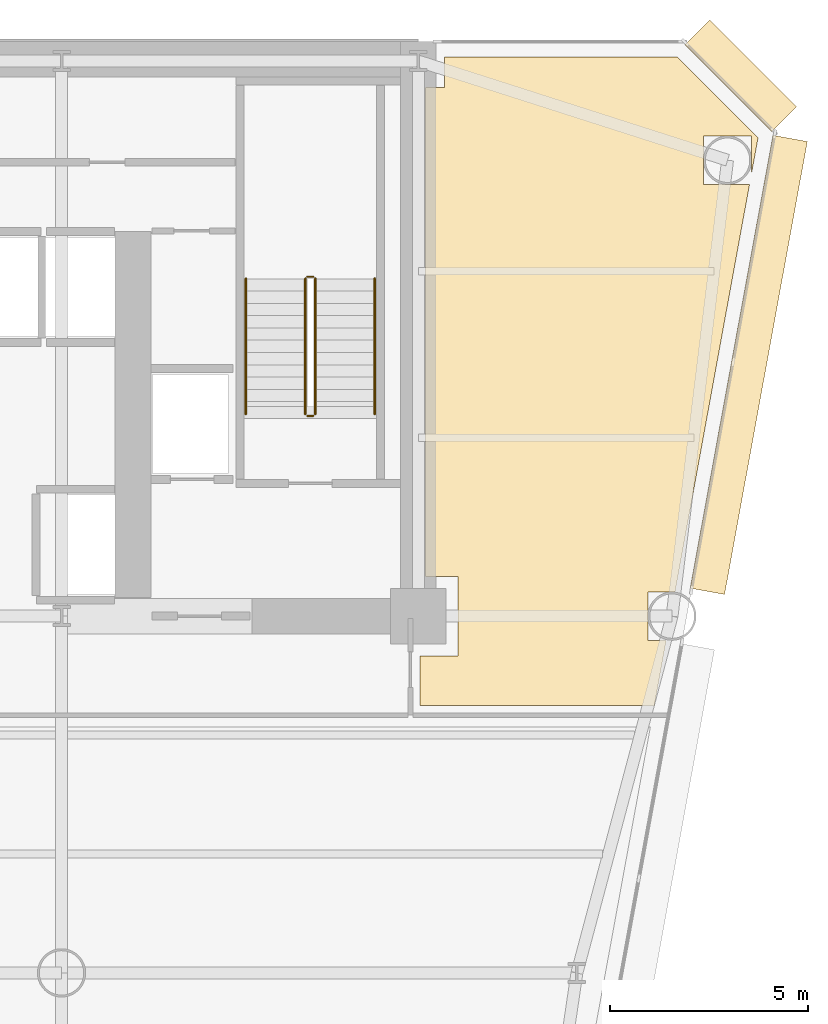
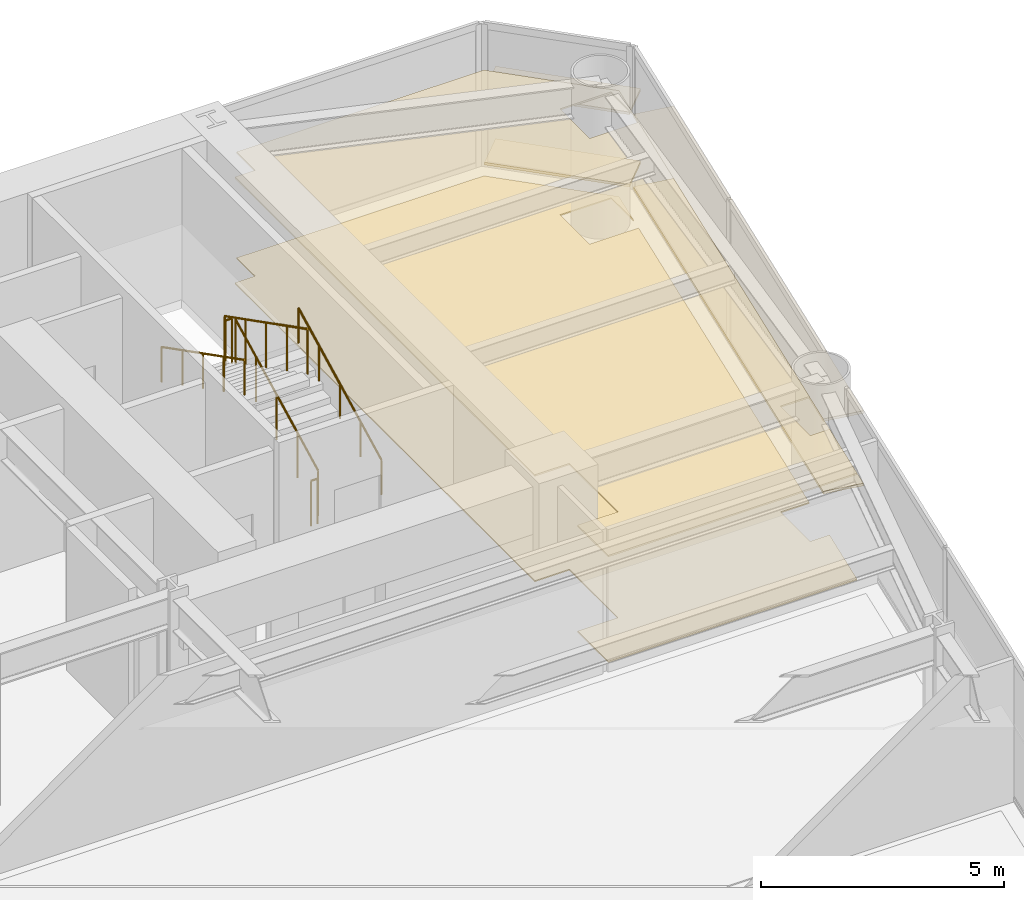
# One storey, part 14 of 14: 6 coverings, 6 railings.
"""IFC4 building model written with IfcOpenShell, lengths in metres."""

import ifcopenshell
import ifcopenshell.guid

model = None  # the IFC model being written
_history = None  # IfcOwnerHistory: only IFC2X3 demands one
_inside = {}  # id of a spatial element -> (the spatial element, [elements in it])
_under = {}  # id of a project, library or spatial element -> (it, [spatial elements below it])
_declared = {}  # id of a project -> (the project, [libraries it declares])
_typed = {}  # id of a type object -> (the type object, [elements of that type])
_made_of = {}  # id of a material, layer set ... -> (it, [elements and type objects made of it])


def new_model(schema):
    """Start an empty IFC model of exactly this schema.

    Asked for "IFC4X3", IfcOpenShell would pick the latest addendum, in which some entities
    have other attributes; the version numbers below select the first issue.
    IFC2X3 requires an IfcOwnerHistory on every rooted entity: one is made here for all.
    """
    global model, _history
    if schema == "IFC4X3":
        model = ifcopenshell.file(schema_version=(4, 3, 0, 0))
    else:
        model = ifcopenshell.file(schema=schema)
    _inside.clear()
    _under.clear()
    _declared.clear()
    _typed.clear()
    _made_of.clear()
    _history = None
    if model.schema == "IFC2X3":
        org = make("IfcOrganization", Name="unknown")
        user = make(
            "IfcPersonAndOrganization",
            ThePerson=make("IfcPerson", FamilyName="unknown"),
            TheOrganization=org,
        )
        app = make(
            "IfcApplication",
            ApplicationDeveloper=org,
            Version="unknown",
            ApplicationFullName="unknown",
            ApplicationIdentifier="unknown",
        )
        _history = make(
            "IfcOwnerHistory",
            OwningUser=user,
            OwningApplication=app,
            ChangeAction="ADDED",
            CreationDate=0,
        )
    return model


def make(cls, **values):
    """One entity of the class cls with the attributes given. An attribute that is None is left unset."""
    return model.create_entity(
        cls, **{name: value for name, value in values.items() if value is not None}
    )


def rooted(cls, **values):
    """An entity with a GlobalId (a new one), such as an element, a storey or a relation."""
    return make(cls, GlobalId=ifcopenshell.guid.new(), OwnerHistory=_history, **values)


def si_unit(unit_type, name, prefix=None):
    """IfcSIUnit, for example si_unit("LENGTHUNIT", "METRE", prefix="MILLI")."""
    return make("IfcSIUnit", UnitType=unit_type, Prefix=prefix, Name=name)


def assignment(units):
    """IfcUnitAssignment: the units of a project."""
    return None if units is None else make("IfcUnitAssignment", Units=units)


def point(xyz):
    """IfcCartesianPoint."""
    return None if xyz is None else make("IfcCartesianPoint", Coordinates=xyz)


def direction(xyz):
    """IfcDirection."""
    return None if xyz is None else make("IfcDirection", DirectionRatios=xyz)


def frame(location, z_axis=None, x_axis=None):
    """IfcAxis2Placement3D, a coordinate frame: its origin and axes. An axis left out is left unset."""
    return make(
        "IfcAxis2Placement3D",
        Location=point(location),
        Axis=direction(z_axis),
        RefDirection=direction(x_axis),
    )


def frame_2d(location, x_axis=None):
    """IfcAxis2Placement2D, a coordinate frame in the plane: its origin and x axis."""
    return make(
        "IfcAxis2Placement2D", Location=point(location), RefDirection=direction(x_axis)
    )


def origin():
    """The frame at (0, 0, 0) with its axes left unset."""
    return frame((0.0, 0.0, 0.0))


def origin_2d():
    """The frame at (0, 0) in the plane with its x axis left unset."""
    return frame_2d((0.0, 0.0))


def place(relative_to, where):
    """IfcLocalPlacement: puts the frame where relative to a parent placement (None: the world)."""
    return make(
        "IfcLocalPlacement", PlacementRelTo=relative_to, RelativePlacement=where
    )


def context(
    kind, dimensions, precision=None, world=None, true_north=None, identifier=None
):
    """IfcGeometricRepresentationContext, for example the 3D "Model" context."""
    return make(
        "IfcGeometricRepresentationContext",
        ContextIdentifier=identifier,
        ContextType=kind,
        CoordinateSpaceDimension=dimensions,
        Precision=precision,
        WorldCoordinateSystem=world,
        TrueNorth=true_north,
    )


def subcontext(parent, identifier, kind, view, scale=None):
    """IfcGeometricRepresentationSubContext, for example "Body" below "Model"."""
    return make(
        "IfcGeometricRepresentationSubContext",
        ContextIdentifier=identifier,
        ContextType=kind,
        ParentContext=parent,
        TargetScale=scale,
        TargetView=view,
    )


def project(units=None, contexts=None):
    """IfcProject with its units and contexts."""
    return rooted(
        "IfcProject",
        Name="project",
        RepresentationContexts=contexts,
        UnitsInContext=assignment(units),
    )


def spatial(cls, under=None, at=None, **own):
    """A site, building, storey or space (cls), placed at a placement, below another one or the project."""
    s = rooted(cls, ObjectPlacement=at, **own)
    if under is not None:
        _under.setdefault(under.id(), (under, []))[1].append(s)
    return s


def polyline(points):
    """IfcPolyline through the points."""
    return make("IfcPolyline", Points=[point(p) for p in points])


def profile(cls, at=None, kind="AREA", **sizes):
    """A parametric profile (cls). Its sizes go by their IFC names, for example OverallWidth=200.0."""
    return make(cls, ProfileType=kind, Position=at, **sizes)


def rectangle(**sizes):
    """IfcRectangleProfileDef."""
    return profile("IfcRectangleProfileDef", **sizes)


def circle(**sizes):
    """IfcCircleProfileDef."""
    return profile("IfcCircleProfileDef", **sizes)


def outline(outer, holes=None, kind="AREA"):
    """IfcArbitraryClosedProfileDef: a profile drawn as a closed curve; with holes, ...WithVoids."""
    if holes is None:
        return make("IfcArbitraryClosedProfileDef", ProfileType=kind, OuterCurve=outer)
    return make(
        "IfcArbitraryProfileDefWithVoids",
        ProfileType=kind,
        OuterCurve=outer,
        InnerCurves=holes,
    )


def extrude(swept, where, along, depth):
    """IfcExtrudedAreaSolid: the profile swept, set in the frame where, extruded along a direction by depth."""
    return make(
        "IfcExtrudedAreaSolid",
        SweptArea=swept,
        Position=where,
        ExtrudedDirection=direction(along),
        Depth=depth,
    )


def shape(context_of_items, identifier, shape_type, items):
    """IfcShapeRepresentation: the items that make up one representation, for example the "Body"."""
    return make(
        "IfcShapeRepresentation",
        ContextOfItems=context_of_items,
        RepresentationIdentifier=identifier,
        RepresentationType=shape_type,
        Items=items,
    )


def source(mapping_origin, context_of_items, identifier, shape_type, items):
    """IfcRepresentationMap: a shape defined once, which mapped items show again and again."""
    return make(
        "IfcRepresentationMap",
        MappingOrigin=mapping_origin,
        MappedRepresentation=shape(context_of_items, identifier, shape_type, items),
    )


def transform(
    local_origin,
    x_axis=None,
    y_axis=None,
    z_axis=None,
    scale=None,
    scale2=None,
    scale3=None,
    uniform=True,
):
    """IfcCartesianTransformationOperator3D, or its non-uniform kind. x_axis, y_axis, z_axis: its Axis1, 2, 3."""
    if uniform:
        return make(
            "IfcCartesianTransformationOperator3D",
            Axis1=direction(x_axis),
            Axis2=direction(y_axis),
            LocalOrigin=point(local_origin),
            Scale=scale,
            Axis3=direction(z_axis),
        )
    return make(
        "IfcCartesianTransformationOperator3DnonUniform",
        Axis1=direction(x_axis),
        Axis2=direction(y_axis),
        LocalOrigin=point(local_origin),
        Scale=scale,
        Axis3=direction(z_axis),
        Scale2=scale2,
        Scale3=scale3,
    )


def mapped(mapping_source, mapping_target):
    """IfcMappedItem: shows the shape of a source again, moved by a transform."""
    return make(
        "IfcMappedItem", MappingSource=mapping_source, MappingTarget=mapping_target
    )


def material(Name=None, Category=None):
    """IfcMaterial."""
    return make("IfcMaterial", Name=Name, Category=Category)


def layer(
    of_material, thickness, ventilated=None, Name=None, Category=None, Priority=None
):
    """IfcMaterialLayer: one layer of a wall or slab, of a material (None: an air gap)."""
    return make(
        "IfcMaterialLayer",
        Material=of_material,
        LayerThickness=thickness,
        IsVentilated=ventilated,
        Name=Name,
        Category=Category,
        Priority=Priority,
    )


def layer_set(layers, Name=None):
    """IfcMaterialLayerSet."""
    return make("IfcMaterialLayerSet", MaterialLayers=layers, LayerSetName=Name)


def made_of(thing, what):
    """Note that an element or type object is made of a material, layer set ...; save() writes the relation."""
    if what is not None:
        _made_of.setdefault(what.id(), (what, []))[1].append(thing)
    return thing


def type_object(cls, material=None, **own):
    """A type object (cls), such as IfcWallType, which elements share."""
    return made_of(rooted(cls, **own), material)


def element(
    cls,
    number,
    at=None,
    inside=None,
    cuts=None,
    type_object=None,
    material=None,
    context=None,
    identifier="Body",
    shape_type=None,
    held_by="IfcProductDefinitionShape",
    body=None,
    shapes=None,
    **own,
):
    """One element of the class cls, such as IfcWall. Its Tag is "e" and its number.

    at: its placement. inside: the storey or other place that contains it. cuts: it is an
    opening in that element (IfcRelVoidsElement). A single representation is given by context,
    identifier, shape_type and body (its items); several are given by shapes. held_by: the class
    of the entity that holds the representations. save() writes the other relations.
    """
    e = rooted(cls, Tag="e%d" % number, ObjectPlacement=at, **own)
    if body is not None:
        shapes = [shape(context, identifier, shape_type, body)]
    if shapes is not None:
        e.Representation = make(held_by, Representations=shapes)
    if inside is not None:
        _inside.setdefault(inside.id(), (inside, []))[1].append(e)
    if cuts is not None:
        rooted(
            "IfcRelVoidsElement", RelatingBuildingElement=cuts, RelatedOpeningElement=e
        )
    if type_object is not None:
        _typed.setdefault(type_object.id(), (type_object, []))[1].append(e)
    return made_of(e, material)


def aggregate(whole, parts):
    """IfcRelAggregates: a whole, such as a stair, and the parts it consists of."""
    return rooted("IfcRelAggregates", RelatingObject=whole, RelatedObjects=parts)


def save(model, path):
    """Write the relations noted so far, then the file.

    IfcRelAggregates (storeys below a building ...), IfcRelContainedInSpatialStructure (elements
    in a storey), IfcRelDefinesByType, IfcRelAssociatesMaterial and IfcRelDeclares: one each for
    every whole, place, type object, material and project.
    """
    for whole, parts in _under.values():
        aggregate(whole, parts)
    for where, things in _inside.values():
        rooted(
            "IfcRelContainedInSpatialStructure",
            RelatedElements=things,
            RelatingStructure=where,
        )
    for kind, things in _typed.values():
        rooted("IfcRelDefinesByType", RelatedObjects=things, RelatingType=kind)
    for what, things in _made_of.values():
        rooted("IfcRelAssociatesMaterial", RelatedObjects=things, RelatingMaterial=what)
    for by, libraries in _declared.values():
        rooted("IfcRelDeclares", RelatingContext=by, RelatedDefinitions=libraries)
    model.write(path)


model = new_model("IFC4")

# Units and contexts
model_context = context("Model", 3, precision=1e-05, world=origin(), true_north=direction((0.0, 1.0)))
body_context = subcontext(model_context, "Body", "Model", "MODEL_VIEW")
ifc_project = project(units=[si_unit("LENGTHUNIT", "METRE"), si_unit("AREAUNIT", "SQUARE_METRE"), si_unit("VOLUMEUNIT", "CUBIC_METRE"), si_unit("PLANEANGLEUNIT", "RADIAN"), si_unit("MASSUNIT", "GRAM", prefix="KILO")], contexts=[model_context])

# Site, building, storey
site_placement = place(None, origin())
site = spatial("IfcSite", under=ifc_project, at=site_placement, CompositionType="ELEMENT")
building_placement = place(site_placement, origin())
building = spatial("IfcBuilding", under=site, at=building_placement, Name="Vaeldorn Concourse Tower", CompositionType="ELEMENT")
storey_placement = place(building_placement, frame((0.0, 0.0, 75.800048828125)))
storey = spatial("IfcBuildingStorey", under=building, at=storey_placement, Name="L19", CompositionType="ELEMENT", Elevation=75.800048828125)

# Coverings
ifc_material_1 = material(Name="Acoustic Mineral Fibre Board", Category="gypsum")
ifc_layer_1 = layer(ifc_material_1, 0.0400390625)
ifc_layer_set_1 = layer_set([ifc_layer_1], Name="Acoustic Mineral Fibre Board")
covering_type_1 = type_object("IfcCoveringType", Name="COV-CEIL-ACOUSTIC", PredefinedType="CEILING", material=ifc_layer_set_1)
covering_1_placement = place(storey_placement, frame((0.0, 0.0, 2.64990234375)))
element("IfcCovering", 1, at=covering_1_placement, inside=storey, type_object=covering_type_1, Name="Suspended Acoustic Ceiling L19-4", PredefinedType="CEILING", context=body_context, shape_type="SweptSolid", body=[
    extrude(outline(polyline([(54.179931640625, 49.840087890625), (54.659912109375, 49.840087890625), (54.659912109375, 50.60009765625), (60.5341796875, 50.60009765625), (62.56884765625, 48.5654296875), (62.409423828125, 47.69384765625), (62.409423828125, 48.609619140625), (61.1904296875, 48.609619140625), (61.1904296875, 47.390380859375), (62.35400390625, 47.390380859375), (60.513916015625, 37.320068359375), (60.513916015625, 37.320068359375), (60.475341796875, 37.109619140625), (59.79052734375, 37.109619140625), (59.79052734375, 35.890380859375), (60.252685546875, 35.890380859375), (59.951171875, 34.239990234375), (54.0400390625, 34.239990234375), (54.0400390625, 35.5), (55.0, 35.5), (55.0, 37.5), (54.179931640625, 37.5), (54.179931640625, 49.840087890625)])), origin(), (0.0, 0.0, 1.0), 0.0400390625),
])
ifc_material_2 = material(Name="Honed Limestone Terrazzo Flooring", Category="masonry")
ifc_layer_2 = layer(ifc_material_2, 0.0400390625)
ifc_layer_set_2 = layer_set([ifc_layer_2], Name="Honed Limestone Terrazzo Flooring")
covering_type_2 = type_object("IfcCoveringType", Name="COV-FLOOR-STONE", PredefinedType="FLOORING", material=ifc_layer_set_2)
covering_2_placement = place(storey_placement, origin())
element("IfcCovering", 2, at=covering_2_placement, inside=storey, type_object=covering_type_2, Name="Floor Finish Covering L19-4", PredefinedType="FLOORING", context=body_context, shape_type="SweptSolid", body=[
    extrude(outline(polyline([(54.179931640625, 49.840087890625), (54.659912109375, 49.840087890625), (54.659912109375, 50.60009765625), (60.5341796875, 50.60009765625), (62.56884765625, 48.5654296875), (62.409423828125, 47.69384765625), (62.409423828125, 48.609619140625), (61.1904296875, 48.609619140625), (61.1904296875, 47.390380859375), (62.35400390625, 47.390380859375), (60.513916015625, 37.320068359375), (60.513916015625, 37.320068359375), (60.475341796875, 37.109619140625), (59.79052734375, 37.109619140625), (59.79052734375, 35.890380859375), (60.252685546875, 35.890380859375), (59.951171875, 34.239990234375), (54.0400390625, 34.239990234375), (54.0400390625, 35.5), (55.0, 35.5), (55.0, 37.5), (54.179931640625, 37.5), (54.179931640625, 49.840087890625)])), origin(), (0.0, 0.0, 1.0), 0.030029296875),
])

# Railings
ifc_material_3 = material(Name="Anodised Bronze Aluminium", Category="aluminium")
railing_type_1 = type_object("IfcRailingType", Name="RL-STAIR-GUARD", PredefinedType="GUARDRAIL", material=ifc_material_3)
railing_1_placement = place(storey_placement, frame((51.39990234375, 41.60009765625, 0.158203125)))
element("IfcRailing", 3, at=railing_1_placement, inside=storey, type_object=railing_type_1, Name="L19 ST-2 stair guard 1", PredefinedType="GUARDRAIL", context=body_context, shape_type="SweptSolid", body=[
    extrude(circle(Radius=0.02392578125, at=origin_2d()), frame((0.0, 0.0, 1.1259765625), z_axis=(0.0, 0.890555807335, 0.454873997962), x_axis=(-1.0, 0.0, 0.0)), (0.0, 0.0, 1.0), 3.828857421875),
    extrude(circle(Radius=0.02099609375, at=origin_2d()), origin(), (0.0, 0.0, 1.0), 1.101806640625),
    extrude(circle(Radius=0.02099609375, at=origin_2d()), frame((0.0, 0.8525390625, 0.435546875)), (0.0, 0.0, 1.0), 1.101806640625),
    extrude(circle(Radius=0.02099609375, at=origin_2d()), frame((0.0, 1.705078125, 0.870849609375)), (0.0, 0.0, 1.0), 1.101806640625),
    extrude(circle(Radius=0.02099609375, at=origin_2d()), frame((0.0, 2.557373046875, 1.30615234375)), (0.0, 0.0, 1.0), 1.101806640625),
    extrude(circle(Radius=0.02099609375, at=origin_2d()), frame((0.0, 3.409912109375, 1.74169921875)), (0.0, 0.0, 1.0), 1.101806640625),
])
railing_2_placement = place(storey_placement, frame((51.35009765625, 45.06005859375, 1.89990234375)))
element("IfcRailing", 4, at=railing_2_placement, inside=storey, type_object=railing_type_1, Name="L19 ST-2 stair guard 2", PredefinedType="GUARDRAIL", context=body_context, shape_type="SweptSolid", body=[
    extrude(circle(Radius=0.02392578125, at=origin_2d()), frame((0.0, 0.0, 1.1259765625), z_axis=(-1.0, 0.0, 0.0), x_axis=(0.0, -1.0, 0.0)), (0.0, 0.0, 1.0), 0.150146484375),
    extrude(circle(Radius=0.02099609375, at=origin_2d()), origin(), (0.0, 0.0, 1.0), 1.101806640625),
    extrude(circle(Radius=0.02099609375, at=origin_2d()), frame((-0.150146484375, 0.0, 0.0)), (0.0, 0.0, 1.0), 1.101806640625),
])
railing_3_placement = place(storey_placement, frame((51.14990234375, 45.010009765625, 2.058349609375)))
element("IfcRailing", 5, at=railing_3_placement, inside=storey, type_object=railing_type_1, Name="L19 ST-2 stair guard 3", PredefinedType="GUARDRAIL", context=body_context, shape_type="SweptSolid", body=[
    extrude(circle(Radius=0.02392578125, at=origin_2d()), frame((0.0, 0.0, 1.1259765625), z_axis=(0.0, -0.890555807335, 0.454873997962), x_axis=(1.0, 0.0, 0.0)), (0.0, 0.0, 1.0), 3.828857421875),
    extrude(circle(Radius=0.02099609375, at=origin_2d()), origin(), (0.0, 0.0, 1.0), 1.101806640625),
    extrude(circle(Radius=0.02099609375, at=origin_2d()), frame((0.0, -0.8525390625, 0.435546875)), (0.0, 0.0, 1.0), 1.101806640625),
    extrude(circle(Radius=0.02099609375, at=origin_2d()), frame((0.0, -1.705078125, 0.870849609375)), (0.0, 0.0, 1.0), 1.101806640625),
    extrude(circle(Radius=0.02099609375, at=origin_2d()), frame((0.0, -2.557373046875, 1.30615234375)), (0.0, 0.0, 1.0), 1.101806640625),
    extrude(circle(Radius=0.02099609375, at=origin_2d()), frame((0.0, -3.409912109375, 1.74169921875)), (0.0, 0.0, 1.0), 1.101806640625),
])
railing_4_placement = place(storey_placement, frame((51.35009765625, 41.550048828125, 0.0)))
element("IfcRailing", 6, at=railing_4_placement, inside=storey, type_object=railing_type_1, Name="L19 ST-2 stair guard 4", PredefinedType="GUARDRAIL", context=body_context, shape_type="SweptSolid", body=[
    extrude(circle(Radius=0.02392578125, at=origin_2d()), frame((0.0, 0.0, 1.1259765625), z_axis=(-1.0, 0.0, 0.0), x_axis=(0.0, -1.0, 0.0)), (0.0, 0.0, 1.0), 0.150146484375),
    extrude(circle(Radius=0.02099609375, at=origin_2d()), origin(), (0.0, 0.0, 1.0), 1.101806640625),
    extrude(circle(Radius=0.02099609375, at=origin_2d()), frame((-0.150146484375, 0.0, 0.0)), (0.0, 0.0, 1.0), 1.101806640625),
])
railing_type_2 = type_object("IfcRailingType", Name="RL-STAIR-HANDRAIL", PredefinedType="HANDRAIL", material=ifc_material_3)
railing_5_placement = place(storey_placement, frame((52.89990234375, 41.60009765625, 0.158203125)))
element("IfcRailing", 7, at=railing_5_placement, inside=storey, type_object=railing_type_2, Name="L19 ST-2 stair handrail 1", PredefinedType="HANDRAIL", context=body_context, shape_type="SweptSolid", body=[
    extrude(circle(Radius=0.02392578125, at=origin_2d()), frame((0.0, 0.0, 0.8759765625), z_axis=(0.0, 0.890555807335, 0.454873997962), x_axis=(-1.0, 0.0, 0.0)), (0.0, 0.0, 1.0), 3.828857421875),
    extrude(circle(Radius=0.02099609375, at=origin_2d()), origin(), (0.0, 0.0, 1.0), 0.851806640625),
    extrude(circle(Radius=0.02099609375, at=origin_2d()), frame((0.0, 0.8525390625, 0.435546875)), (0.0, 0.0, 1.0), 0.851806640625),
    extrude(circle(Radius=0.02099609375, at=origin_2d()), frame((0.0, 1.705078125, 0.870849609375)), (0.0, 0.0, 1.0), 0.851806640625),
    extrude(circle(Radius=0.02099609375, at=origin_2d()), frame((0.0, 2.557373046875, 1.30615234375)), (0.0, 0.0, 1.0), 0.851806640625),
    extrude(circle(Radius=0.02099609375, at=origin_2d()), frame((0.0, 3.409912109375, 1.74169921875)), (0.0, 0.0, 1.0), 0.851806640625),
])
railing_6_placement = place(storey_placement, frame((49.64990234375, 45.010009765625, 2.058349609375)))
element("IfcRailing", 8, at=railing_6_placement, inside=storey, type_object=railing_type_2, Name="L19 ST-2 stair handrail 2", PredefinedType="HANDRAIL", context=body_context, shape_type="SweptSolid", body=[
    extrude(circle(Radius=0.02392578125, at=origin_2d()), frame((0.0, 0.0, 0.8759765625), z_axis=(0.0, -0.890555807335, 0.454873997962), x_axis=(1.0, 0.0, 0.0)), (0.0, 0.0, 1.0), 3.828857421875),
    extrude(circle(Radius=0.02099609375, at=origin_2d()), origin(), (0.0, 0.0, 1.0), 0.851806640625),
    extrude(circle(Radius=0.02099609375, at=origin_2d()), frame((0.0, -0.8525390625, 0.435546875)), (0.0, 0.0, 1.0), 0.851806640625),
    extrude(circle(Radius=0.02099609375, at=origin_2d()), frame((0.0, -1.705078125, 0.870849609375)), (0.0, 0.0, 1.0), 0.851806640625),
    extrude(circle(Radius=0.02099609375, at=origin_2d()), frame((0.0, -2.557373046875, 1.30615234375)), (0.0, 0.0, 1.0), 0.851806640625),
    extrude(circle(Radius=0.02099609375, at=origin_2d()), frame((0.0, -3.409912109375, 1.74169921875)), (0.0, 0.0, 1.0), 0.851806640625),
])

# Coverings
ifc_layer_3 = layer(ifc_material_3, 0.06494140625)
ifc_layer_set_3 = layer_set([ifc_layer_3], Name="Anodised Bronze Aluminium")
covering_type_3 = type_object("IfcCoveringType", Name="SD-BRONZE-SUNSHADE", PredefinedType="USERDEFINED", material=ifc_layer_set_3)
shared_shape_1 = source(origin(), body_context, "Body", "SweptSolid", [
    extrude(rectangle(XDim=3.0927734375, YDim=0.8798828125, at=origin_2d()), origin(), (0.0, 0.0, 1.0), 0.06494140625),
])
for number, where, z_axis, x_axis, name in (
    (9, (62.1328125, 50.1328125, 0.04736328125), (0.0, 0.0, 1.0), (-0.707106781187, 0.707106781187, 0.0), "Horizontal Bronze Sunshade L19-E08.1.1"),
    (10, (62.1328125, 50.1328125, 1.867431640625), (0.0, 0.0, 1.0), (-0.707106781187, 0.707106781187, 0.0), "Horizontal Bronze Sunshade L19-E08.1.2"),
):
    element("IfcCovering", number, at=place(storey_placement, frame(where, z_axis=z_axis, x_axis=x_axis)), inside=storey, type_object=covering_type_3, Name=name, ObjectType="SUNSHADE", PredefinedType="USERDEFINED", context=body_context, shape_type="MappedRepresentation", body=[
        mapped(shared_shape_1, transform((0.0, 0.0, 0.0), scale=1.0)),
    ])
shared_shape_2 = source(origin(), body_context, "Body", "SweptSolid", [
    extrude(rectangle(XDim=11.6123046875, YDim=0.8798828125, at=origin_2d()), origin(), (0.0, 0.0, 1.0), 0.06494140625),
])
for number, where, z_axis, x_axis, name in (
    (11, (62.33544921875, 42.837890625, 0.04736328125), (0.0, 0.0, 1.0), (0.179746594427, 0.983712946846, 0.0), "Horizontal Bronze Sunshade L19-E07.2.1"),
    (12, (62.33544921875, 42.837890625, 1.867431640625), (0.0, 0.0, 1.0), (0.179746594427, 0.983712946846, 0.0), "Horizontal Bronze Sunshade L19-E07.2.2"),
):
    element("IfcCovering", number, at=place(storey_placement, frame(where, z_axis=z_axis, x_axis=x_axis)), inside=storey, type_object=covering_type_3, Name=name, ObjectType="SUNSHADE", PredefinedType="USERDEFINED", context=body_context, shape_type="MappedRepresentation", body=[
        mapped(shared_shape_2, transform((0.0, 0.0, 0.0), scale=1.0)),
    ])

save(model, "model.ifc")
